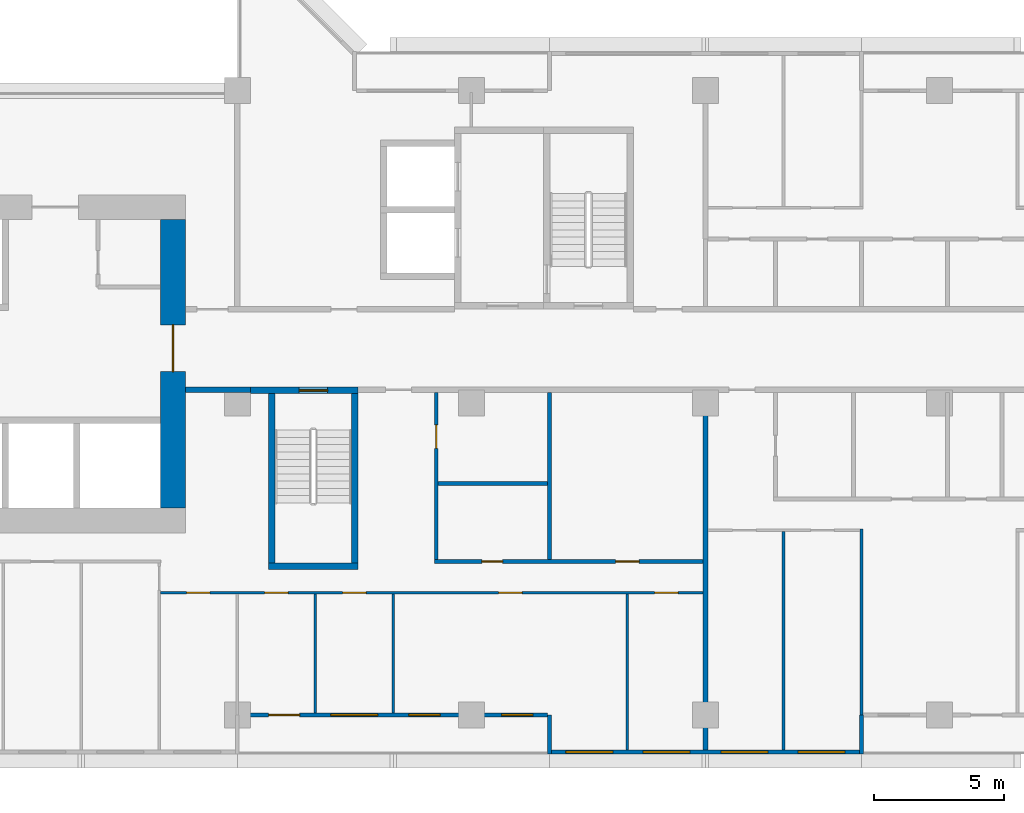
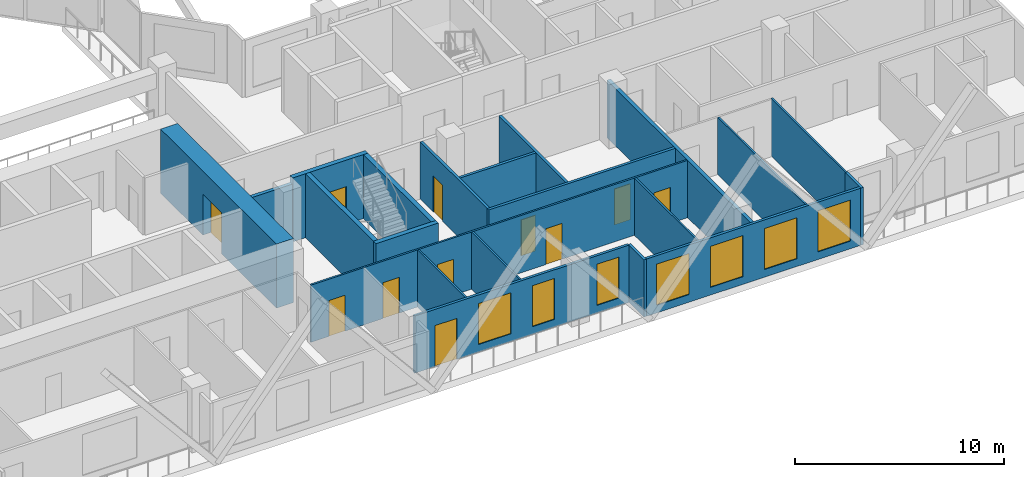
# One storey, part 6 of 16: 21 walls, 11 doors, 7 windows, 18 openings.
"""IFC4 building model written with IfcOpenShell, lengths in metres."""

from ifc_helpers import new_model, si_unit, direction, frame, frame_2d, origin, place, context, subcontext, project, spatial, rectangle, extrude, material, layer, layer_set, type_object, element, fill, save


model = new_model("IFC4")

# Units and contexts
model_context = context("Model", 3, precision=1e-05, world=origin(), true_north=direction((0.0, 1.0)))
body_context = subcontext(model_context, "Body", "Model", "MODEL_VIEW")
ifc_project = project(units=[si_unit("LENGTHUNIT", "METRE"), si_unit("AREAUNIT", "SQUARE_METRE"), si_unit("VOLUMEUNIT", "CUBIC_METRE"), si_unit("PLANEANGLEUNIT", "RADIAN"), si_unit("MASSUNIT", "GRAM", prefix="KILO")], contexts=[model_context])

# Site, building, storey
site_placement = place(None, origin())
site = spatial("IfcSite", under=ifc_project, at=site_placement, CompositionType="ELEMENT")
building_placement = place(site_placement, origin())
building = spatial("IfcBuilding", under=site, at=building_placement, Name="Chenar Terraces", CompositionType="ELEMENT")
storey_placement = place(building_placement, frame((0.0, 0.0, 99.39990234375)))
storey = spatial("IfcBuildingStorey", under=building, at=storey_placement, Name="L22", CompositionType="ELEMENT", Elevation=99.39990234375)

# Wall
ifc_material_1 = material(Name="Concrete C70/85", Category="concrete")
ifc_layer_1 = layer(ifc_material_1, 0.25)
ifc_layer_set_1 = layer_set([ifc_layer_1], Name="Concrete C70/85")
wall_type_1 = type_object("IfcWallType", Name="Core wall 250 Concrete C70/85", PredefinedType="SHEAR", material=ifc_layer_set_1)
wall_1_placement = place(storey_placement, frame((37.199951171875, 5.72509765625, 0.0), z_axis=(0.0, 0.0, 1.0), x_axis=(1.0, 0.0, 0.0)))
element("IfcWall", 1, at=wall_1_placement, inside=storey, type_object=wall_type_1, Name="Core wall ST2_S L22", PredefinedType="SHEAR", context=body_context, shape_type="SweptSolid", body=[
    extrude(rectangle(XDim=3.449951171875, YDim=0.25, at=frame_2d((1.72509765625, 0.0))), origin(), (0.0, 0.0, 1.0), 3.75),
])

# Wall, opening, door
wall_2_placement = place(storey_placement, frame((36.5, 12.47509765625, 0.0), z_axis=(0.0, 0.0, 1.0), x_axis=(1.0, 0.0, 0.0)))
wall_2 = element("IfcWall", 2, at=wall_2_placement, inside=storey, type_object=wall_type_1, Name="Core wall ST2_N L22", PredefinedType="SHEAR", context=body_context, shape_type="SweptSolid", body=[
    extrude(rectangle(XDim=4.14990234375, YDim=0.25, at=frame_2d((2.074951171875, 0.0))), origin(), (0.0, 0.0, 1.0), 3.75),
])
opening_1_placement = place(wall_2_placement, frame((1.875, 0.0, 0.0)))
opening_1 = element("IfcOpeningElement", 3, at=opening_1_placement, cuts=wall_2, Name="Opening DL22-C7", PredefinedType="OPENING", context=body_context, shape_type="SweptSolid", body=[
    extrude(rectangle(XDim=1.10009765625, YDim=2.199951171875, at=frame_2d((0.550048828125, 1.10009765625))), frame((0.0, 0.135009765625, 0.0), z_axis=(0.0, -1.0, 0.0), x_axis=(1.0, 0.0, 0.0)), (0.0, 0.0, 1.0), 0.27001953125),
])
ifc_material_2 = material(Name="Steel-framed fire-resisting door leaf", Category="steel")
door_type_1 = type_object("IfcDoorType", Name="Stair fire door FD60 1100 x 2200", OperationType="SINGLE_SWING_LEFT", PredefinedType="DOOR", material=ifc_material_2)
door_1_placement = place(opening_1_placement, frame((1.10009765625, 0.0, 0.0), z_axis=(0.0, 0.0, 1.0), x_axis=(-1.0, 0.0, 0.0)))
door_1 = element("IfcDoor", 4, at=door_1_placement, inside=storey, type_object=door_type_1, Name="Stair door DL22-C7", OperationType="SINGLE_SWING_RIGHT", OverallHeight=2.199951171875, OverallWidth=1.10009765625, PredefinedType="DOOR", context=body_context, shape_type="SweptSolid", body=[
    extrude(rectangle(XDim=1.10009765625, YDim=2.199951171875, at=frame_2d((0.550048828125, 1.10009765625))), frame((0.0, 0.02490234375, 0.0), z_axis=(0.0, -1.0, 0.0), x_axis=(1.0, 0.0, 0.0)), (0.0, 0.0, 1.0), 0.050048828125),
])
fill(opening_1, door_1)

# Walls
for number, where, z_axis, x_axis, name in (
    (5, (37.324951171875, 5.85009765625, 0.0), (0.0, 0.0, 1.0), (0.0, 1.0, 0.0), "Core wall ST2_W L22"),
    (6, (40.52490234375, 5.85009765625, 0.0), (0.0, 0.0, 1.0), (0.0, 1.0, 0.0), "Core wall ST2_E L22"),
):
    element("IfcWall", number, at=place(storey_placement, frame(where, z_axis=z_axis, x_axis=x_axis)), inside=storey, type_object=wall_type_1, Name=name, PredefinedType="SHEAR", context=body_context, shape_type="SweptSolid", body=[
        extrude(rectangle(XDim=6.5, YDim=0.25, at=frame_2d((3.25, 0.0))), origin(), (0.0, 0.0, 1.0), 3.75),
    ])

# Wall, opening, door
ifc_material_3 = material(Name="Concrete C70/85", Category="concrete")
ifc_layer_2 = layer(ifc_material_3, 0.949951171875)
ifc_layer_set_2 = layer_set([ifc_layer_2], Name="Concrete C70/85")
wall_type_2 = type_object("IfcWallType", Name="Core wall 950 Concrete C70/85", PredefinedType="SHEAR", material=ifc_layer_set_2)
wall_3_placement = place(storey_placement, frame((33.52490234375, 7.949951171875, 0.0), z_axis=(0.0, 0.0, 1.0), x_axis=(0.0, 1.0, 0.0)))
wall_3 = element("IfcWall", 7, at=wall_3_placement, inside=storey, type_object=wall_type_2, Name="Core wall E L22", PredefinedType="SHEAR", context=body_context, shape_type="SweptSolid", body=[
    extrude(rectangle(XDim=11.10009765625, YDim=0.949951171875, at=frame_2d((5.550048828125, 0.0))), origin(), (0.0, 0.0, 1.0), 3.75),
])
opening_2_placement = place(wall_3_placement, frame((5.25, 0.0, 0.0)))
opening_2 = element("IfcOpeningElement", 8, at=opening_2_placement, cuts=wall_3, Name="Opening DL22-C1", PredefinedType="OPENING", context=body_context, shape_type="SweptSolid", body=[
    extrude(rectangle(XDim=1.800048828125, YDim=2.39990234375, at=frame_2d((0.89990234375, 1.199951171875))), frame((0.0, 0.48486328125, 0.0), z_axis=(0.0, -1.0, 0.0), x_axis=(1.0, 0.0, 0.0)), (0.0, 0.0, 1.0), 0.969970703125),
])
ifc_material_4 = material(Name="Steel-framed fire-resisting door leaf", Category="steel")
door_type_2 = type_object("IfcDoorType", Name="Core entrance double fire door FD60 1800 x 2400", OperationType="DOUBLE_DOOR_SINGLE_SWING", PredefinedType="DOOR", material=ifc_material_4)
door_2_placement = place(opening_2_placement, origin())
door_2 = element("IfcDoor", 9, at=door_2_placement, inside=storey, type_object=door_type_2, Name="Core door DL22-C1", OperationType="DOUBLE_DOOR_SINGLE_SWING", OverallHeight=2.39990234375, OverallWidth=1.800048828125, PredefinedType="DOOR", context=body_context, shape_type="SweptSolid", body=[
    extrude(rectangle(XDim=1.800048828125, YDim=2.39990234375, at=frame_2d((0.89990234375, 1.199951171875))), frame((0.0, 0.02490234375, 0.0), z_axis=(0.0, -1.0, 0.0), x_axis=(1.0, 0.0, 0.0)), (0.0, 0.0, 1.0), 0.050048828125),
])
fill(opening_2, door_2)

# Wall
ifc_material_5 = material(Name="Gypsum board on steel studs with fire boards", Category="steel")
ifc_layer_3 = layer(ifc_material_5, 0.199951171875)
ifc_layer_set_3 = layer_set([ifc_layer_3], Name="Gypsum board on steel studs with fire boards")
wall_type_3 = type_object("IfcWallType", Name="Corridor wall 200", PredefinedType="PARTITIONING", material=ifc_layer_set_3)
wall_4_placement = place(storey_placement, frame((34.0, 12.5, 0.0), z_axis=(0.0, 0.0, 1.0), x_axis=(1.0, 0.0, 0.0)))
element("IfcWall", 10, at=wall_4_placement, inside=storey, type_object=wall_type_3, Name="Partition L22-061", PredefinedType="PARTITIONING", context=body_context, shape_type="SweptSolid", body=[
    extrude(rectangle(XDim=2.5009765625, YDim=0.199951171875, at=frame_2d((1.25048828125, 0.0))), origin(), (0.0, 0.0, 1.0), 3.35009765625),
])

# Wall, openings, windows
ifc_material_6 = material(Name="Aluminium framed glazing", Category="aluminium")
ifc_layer_4 = layer(ifc_material_6, 0.14990234375)
ifc_layer_set_4 = layer_set([ifc_layer_4], Name="Aluminium framed glazing")
wall_type_4 = type_object("IfcWallType", Name="Glazed flush facade wall 150", PredefinedType="SOLIDWALL", material=ifc_layer_set_4)
wall_5_placement = place(storey_placement, frame((48.074951171875, -1.425048828125, 0.0), z_axis=(0.0, 0.0, 1.0), x_axis=(1.0, 0.0, 0.0)))
wall_5 = element("IfcWall", 11, at=wall_5_placement, inside=storey, type_object=wall_type_4, Name="Glazed flush facade wall", PredefinedType="SOLIDWALL", context=body_context, shape_type="SweptSolid", body=[
    extrude(rectangle(XDim=11.85009765625, YDim=0.14990234375, at=frame_2d((5.925048828125, 0.0))), origin(), (0.0, 0.0, 1.0), 3.35009765625),
])
opening_3_placement = place(wall_5_placement, frame((0.5625, 0.0, 0.449951171875)))
opening_3 = element("IfcOpeningElement", 12, at=opening_3_placement, cuts=wall_5, Name="Opening W180x240", PredefinedType="OPENING", context=body_context, shape_type="SweptSolid", body=[
    extrude(rectangle(XDim=1.800048828125, YDim=2.39990234375, at=frame_2d((0.89990234375, 1.199951171875))), frame((0.0, 0.0849609375, 0.0), z_axis=(0.0, -1.0, 0.0), x_axis=(1.0, 0.0, 0.0)), (0.0, 0.0, 1.0), 0.169921875),
])
opening_4_placement = place(wall_5_placement, frame((3.52490234375, 0.0, 0.449951171875)))
opening_4 = element("IfcOpeningElement", 13, at=opening_4_placement, cuts=wall_5, Name="Opening W180x240", PredefinedType="OPENING", context=body_context, shape_type="SweptSolid", body=[
    extrude(rectangle(XDim=1.800048828125, YDim=2.39990234375, at=frame_2d((0.89990234375, 1.199951171875))), frame((0.0, 0.0849609375, 0.0), z_axis=(0.0, -1.0, 0.0), x_axis=(1.0, 0.0, 0.0)), (0.0, 0.0, 1.0), 0.169921875),
])
opening_5_placement = place(wall_5_placement, frame((6.52490234375, 0.0, 0.449951171875)))
opening_5 = element("IfcOpeningElement", 14, at=opening_5_placement, cuts=wall_5, Name="Opening W180x240", PredefinedType="OPENING", context=body_context, shape_type="SweptSolid", body=[
    extrude(rectangle(XDim=1.800048828125, YDim=2.39990234375, at=frame_2d((0.89990234375, 1.199951171875))), frame((0.0, 0.0849609375, 0.0), z_axis=(0.0, -1.0, 0.0), x_axis=(1.0, 0.0, 0.0)), (0.0, 0.0, 1.0), 0.169921875),
])
opening_6_placement = place(wall_5_placement, frame((9.487548828125, 0.0, 0.449951171875)))
opening_6 = element("IfcOpeningElement", 15, at=opening_6_placement, cuts=wall_5, Name="Opening W180x240", PredefinedType="OPENING", context=body_context, shape_type="SweptSolid", body=[
    extrude(rectangle(XDim=1.800048828125, YDim=2.39990234375, at=frame_2d((0.89990234375, 1.199951171875))), frame((0.0, 0.0849609375, 0.0), z_axis=(0.0, -1.0, 0.0), x_axis=(1.0, 0.0, 0.0)), (0.0, 0.0, 1.0), 0.169921875),
])
ifc_material_7 = material(Name="Low emissivity double glazing, aluminium frame", Category="aluminium")
window_type_1 = type_object("IfcWindowType", Name="Fixed light 1800 x 2400", PartitioningType="SINGLE_PANEL", PredefinedType="WINDOW", material=ifc_material_7)
window_1_placement = place(opening_3_placement, origin())
window_1 = element("IfcWindow", 16, at=window_1_placement, inside=storey, type_object=window_type_1, Name="Window", OverallHeight=2.39990234375, OverallWidth=1.800048828125, PartitioningType="SINGLE_PANEL", PredefinedType="WINDOW", context=body_context, shape_type="SweptSolid", body=[
    extrude(rectangle(XDim=1.800048828125, YDim=2.39990234375, at=frame_2d((0.89990234375, 1.199951171875))), frame((0.0, 0.030029296875, 0.0), z_axis=(0.0, -1.0, 0.0), x_axis=(1.0, 0.0, 0.0)), (0.0, 0.0, 1.0), 0.06005859375),
])
fill(opening_3, window_1)
window_2_placement = place(opening_4_placement, origin())
window_2 = element("IfcWindow", 17, at=window_2_placement, inside=storey, type_object=window_type_1, Name="Window", OverallHeight=2.39990234375, OverallWidth=1.800048828125, PartitioningType="SINGLE_PANEL", PredefinedType="WINDOW", context=body_context, shape_type="SweptSolid", body=[
    extrude(rectangle(XDim=1.800048828125, YDim=2.39990234375, at=frame_2d((0.89990234375, 1.199951171875))), frame((0.0, 0.030029296875, 0.0), z_axis=(0.0, -1.0, 0.0), x_axis=(1.0, 0.0, 0.0)), (0.0, 0.0, 1.0), 0.06005859375),
])
fill(opening_4, window_2)
window_3_placement = place(opening_5_placement, origin())
window_3 = element("IfcWindow", 18, at=window_3_placement, inside=storey, type_object=window_type_1, Name="Window", OverallHeight=2.39990234375, OverallWidth=1.800048828125, PartitioningType="SINGLE_PANEL", PredefinedType="WINDOW", context=body_context, shape_type="SweptSolid", body=[
    extrude(rectangle(XDim=1.800048828125, YDim=2.39990234375, at=frame_2d((0.89990234375, 1.199951171875))), frame((0.0, 0.030029296875, 0.0), z_axis=(0.0, -1.0, 0.0), x_axis=(1.0, 0.0, 0.0)), (0.0, 0.0, 1.0), 0.06005859375),
])
fill(opening_5, window_3)
window_4_placement = place(opening_6_placement, origin())
window_4 = element("IfcWindow", 19, at=window_4_placement, inside=storey, type_object=window_type_1, Name="Window", OverallHeight=2.39990234375, OverallWidth=1.800048828125, PartitioningType="SINGLE_PANEL", PredefinedType="WINDOW", context=body_context, shape_type="SweptSolid", body=[
    extrude(rectangle(XDim=1.800048828125, YDim=2.39990234375, at=frame_2d((0.89990234375, 1.199951171875))), frame((0.0, 0.030029296875, 0.0), z_axis=(0.0, -1.0, 0.0), x_axis=(1.0, 0.0, 0.0)), (0.0, 0.0, 1.0), 0.06005859375),
])
fill(opening_6, window_4)

# Wall, openings, windows, door
ifc_material_8 = material(Name="Aluminium framed glazing", Category="aluminium")
ifc_layer_5 = layer(ifc_material_8, 0.14990234375)
ifc_layer_set_5 = layer_set([ifc_layer_5], Name="Aluminium framed glazing")
wall_type_5 = type_object("IfcWallType", Name="Glazed loggia back wall 150", PredefinedType="SOLIDWALL", material=ifc_layer_set_5)
wall_6_placement = place(storey_placement, frame((36.074951171875, 0.0, 0.0), z_axis=(0.0, 0.0, 1.0), x_axis=(1.0, 0.0, 0.0)))
wall_6 = element("IfcWall", 20, at=wall_6_placement, inside=storey, type_object=wall_type_5, Name="Glazed loggia back wall", PredefinedType="SOLIDWALL", context=body_context, shape_type="SweptSolid", body=[
    extrude(rectangle(XDim=11.85009765625, YDim=0.14990234375, at=frame_2d((5.925048828125, 0.0))), origin(), (0.0, 0.0, 1.0), 3.35009765625),
])
opening_7_placement = place(wall_6_placement, frame((1.125, 0.0, 0.0)))
opening_7 = element("IfcOpeningElement", 21, at=opening_7_placement, cuts=wall_6, Name="Opening DL22-G7", PredefinedType="OPENING", context=body_context, shape_type="SweptSolid", body=[
    extrude(rectangle(XDim=1.199951171875, YDim=2.39990234375, at=frame_2d((0.60009765625, 1.199951171875))), frame((0.0, 0.0849609375, 0.0), z_axis=(0.0, -1.0, 0.0), x_axis=(1.0, 0.0, 0.0)), (0.0, 0.0, 1.0), 0.169921875),
])
opening_8_placement = place(wall_6_placement, frame((3.52490234375, 0.0, 0.449951171875)))
opening_8 = element("IfcOpeningElement", 22, at=opening_8_placement, cuts=wall_6, Name="Opening W180x240", PredefinedType="OPENING", context=body_context, shape_type="SweptSolid", body=[
    extrude(rectangle(XDim=1.800048828125, YDim=2.39990234375, at=frame_2d((0.89990234375, 1.199951171875))), frame((0.0, 0.0849609375, 0.0), z_axis=(0.0, -1.0, 0.0), x_axis=(1.0, 0.0, 0.0)), (0.0, 0.0, 1.0), 0.169921875),
])
opening_9_placement = place(wall_6_placement, frame((6.52490234375, 0.0, 0.449951171875)))
opening_9 = element("IfcOpeningElement", 23, at=opening_9_placement, cuts=wall_6, Name="Opening W120x240", PredefinedType="OPENING", context=body_context, shape_type="SweptSolid", body=[
    extrude(rectangle(XDim=1.199951171875, YDim=2.39990234375, at=frame_2d((0.60009765625, 1.199951171875))), frame((0.0, 0.0849609375, 0.0), z_axis=(0.0, -1.0, 0.0), x_axis=(1.0, 0.0, 0.0)), (0.0, 0.0, 1.0), 0.169921875),
])
opening_10_placement = place(wall_6_placement, frame((10.08740234375, 0.0, 0.449951171875)))
opening_10 = element("IfcOpeningElement", 24, at=opening_10_placement, cuts=wall_6, Name="Opening W120x240", PredefinedType="OPENING", context=body_context, shape_type="SweptSolid", body=[
    extrude(rectangle(XDim=1.199951171875, YDim=2.39990234375, at=frame_2d((0.60009765625, 1.199951171875))), frame((0.0, 0.0849609375, 0.0), z_axis=(0.0, -1.0, 0.0), x_axis=(1.0, 0.0, 0.0)), (0.0, 0.0, 1.0), 0.169921875),
])
ifc_material_9 = material(Name="Low emissivity double glazing, aluminium frame", Category="aluminium")
window_type_2 = type_object("IfcWindowType", Name="Fixed light 1200 x 2400", PartitioningType="SINGLE_PANEL", PredefinedType="WINDOW", material=ifc_material_9)
window_5_placement = place(opening_9_placement, origin())
window_5 = element("IfcWindow", 25, at=window_5_placement, inside=storey, type_object=window_type_2, Name="Window", OverallHeight=2.39990234375, OverallWidth=1.199951171875, PartitioningType="SINGLE_PANEL", PredefinedType="WINDOW", context=body_context, shape_type="SweptSolid", body=[
    extrude(rectangle(XDim=1.199951171875, YDim=2.39990234375, at=frame_2d((0.60009765625, 1.199951171875))), frame((0.0, 0.030029296875, 0.0), z_axis=(0.0, -1.0, 0.0), x_axis=(1.0, 0.0, 0.0)), (0.0, 0.0, 1.0), 0.06005859375),
])
fill(opening_9, window_5)
window_6_placement = place(opening_10_placement, origin())
window_6 = element("IfcWindow", 26, at=window_6_placement, inside=storey, type_object=window_type_2, Name="Window", OverallHeight=2.39990234375, OverallWidth=1.199951171875, PartitioningType="SINGLE_PANEL", PredefinedType="WINDOW", context=body_context, shape_type="SweptSolid", body=[
    extrude(rectangle(XDim=1.199951171875, YDim=2.39990234375, at=frame_2d((0.60009765625, 1.199951171875))), frame((0.0, 0.030029296875, 0.0), z_axis=(0.0, -1.0, 0.0), x_axis=(1.0, 0.0, 0.0)), (0.0, 0.0, 1.0), 0.06005859375),
])
fill(opening_10, window_6)
window_7_placement = place(opening_8_placement, origin())
window_7 = element("IfcWindow", 27, at=window_7_placement, inside=storey, type_object=window_type_1, Name="Window", OverallHeight=2.39990234375, OverallWidth=1.800048828125, PartitioningType="SINGLE_PANEL", PredefinedType="WINDOW", context=body_context, shape_type="SweptSolid", body=[
    extrude(rectangle(XDim=1.800048828125, YDim=2.39990234375, at=frame_2d((0.89990234375, 1.199951171875))), frame((0.0, 0.030029296875, 0.0), z_axis=(0.0, -1.0, 0.0), x_axis=(1.0, 0.0, 0.0)), (0.0, 0.0, 1.0), 0.06005859375),
])
fill(opening_8, window_7)
ifc_material_10 = material(Name="Low emissivity double glazing, aluminium frame", Category="aluminium")
door_type_3 = type_object("IfcDoorType", Name="Loggia glazed double door 1200 x 2400", OperationType="DOUBLE_DOOR_SINGLE_SWING", PredefinedType="DOOR", material=ifc_material_10)
door_3_placement = place(opening_7_placement, frame((1.199951171875, 0.0, 0.0), z_axis=(0.0, 0.0, 1.0), x_axis=(-1.0, 0.0, 0.0)))
door_3 = element("IfcDoor", 28, at=door_3_placement, inside=storey, type_object=door_type_3, Name="Loggia glazed door", OperationType="DOUBLE_DOOR_SINGLE_SWING", OverallHeight=2.39990234375, OverallWidth=1.199951171875, PredefinedType="DOOR", context=body_context, shape_type="SweptSolid", body=[
    extrude(rectangle(XDim=1.199951171875, YDim=2.39990234375, at=frame_2d((0.60009765625, 1.199951171875))), frame((0.0, 0.02490234375, 0.0), z_axis=(0.0, -1.0, 0.0), x_axis=(1.0, 0.0, 0.0)), (0.0, 0.0, 1.0), 0.050048828125),
])
fill(opening_7, door_3)

# Wall, openings, doors
ifc_material_11 = material(Name="Gypsum board on steel studs", Category="steel")
ifc_layer_6 = layer(ifc_material_11, 0.10009765625)
ifc_layer_set_6 = layer_set([ifc_layer_6], Name="Gypsum board on steel studs")
wall_type_6 = type_object("IfcWallType", Name="Gypsum partition 100", PredefinedType="PARTITIONING", material=ifc_layer_set_6)
wall_7_placement = place(storey_placement, frame((33.050048828125, 4.699951171875, 0.0), z_axis=(0.0, 0.0, 1.0), x_axis=(1.0, 0.0, 0.0)))
wall_7 = element("IfcWall", 29, at=wall_7_placement, inside=storey, type_object=wall_type_6, Name="Partition L22-060", PredefinedType="PARTITIONING", context=body_context, shape_type="SweptSolid", body=[
    extrude(rectangle(XDim=20.849853515625, YDim=0.10009765625, at=frame_2d((10.4248046875, 0.0))), origin(), (0.0, 0.0, 1.0), 3.35009765625),
])
opening_11_placement = place(wall_7_placement, frame((1.0, 0.0, 0.0)))
opening_11 = element("IfcOpeningElement", 30, at=opening_11_placement, cuts=wall_7, Name="Opening DL22-58", PredefinedType="OPENING", context=body_context, shape_type="SweptSolid", body=[
    extrude(rectangle(XDim=0.89990234375, YDim=2.10009765625, at=frame_2d((0.449951171875, 1.050048828125))), frame((0.0, 0.06005859375, 0.0), z_axis=(0.0, -1.0, 0.0), x_axis=(1.0, 0.0, 0.0)), (0.0, 0.0, 1.0), 0.1201171875),
])
opening_12_placement = place(wall_7_placement, frame((4.0, 0.0, 0.0)))
opening_12 = element("IfcOpeningElement", 31, at=opening_12_placement, cuts=wall_7, Name="Opening DL22-59", PredefinedType="OPENING", context=body_context, shape_type="SweptSolid", body=[
    extrude(rectangle(XDim=0.89990234375, YDim=2.10009765625, at=frame_2d((0.449951171875, 1.050048828125))), frame((0.0, 0.06005859375, 0.0), z_axis=(0.0, -1.0, 0.0), x_axis=(1.0, 0.0, 0.0)), (0.0, 0.0, 1.0), 0.1201171875),
])
opening_13_placement = place(wall_7_placement, frame((7.0, 0.0, 0.0)))
opening_13 = element("IfcOpeningElement", 32, at=opening_13_placement, cuts=wall_7, Name="Opening DL22-60", PredefinedType="OPENING", context=body_context, shape_type="SweptSolid", body=[
    extrude(rectangle(XDim=0.89990234375, YDim=2.10009765625, at=frame_2d((0.449951171875, 1.050048828125))), frame((0.0, 0.06005859375, 0.0), z_axis=(0.0, -1.0, 0.0), x_axis=(1.0, 0.0, 0.0)), (0.0, 0.0, 1.0), 0.1201171875),
])
opening_14_placement = place(wall_7_placement, frame((19.0, 0.0, 0.0)))
opening_14 = element("IfcOpeningElement", 33, at=opening_14_placement, cuts=wall_7, Name="Opening DL22-61", PredefinedType="OPENING", context=body_context, shape_type="SweptSolid", body=[
    extrude(rectangle(XDim=0.89990234375, YDim=2.10009765625, at=frame_2d((0.449951171875, 1.050048828125))), frame((0.0, 0.06005859375, 0.0), z_axis=(0.0, -1.0, 0.0), x_axis=(1.0, 0.0, 0.0)), (0.0, 0.0, 1.0), 0.1201171875),
])
opening_15_placement = place(wall_7_placement, frame((13.0, 0.0, 0.0)))
opening_15 = element("IfcOpeningElement", 34, at=opening_15_placement, cuts=wall_7, Name="Opening DL22-67", PredefinedType="OPENING", context=body_context, shape_type="SweptSolid", body=[
    extrude(rectangle(XDim=0.89990234375, YDim=2.10009765625, at=frame_2d((0.449951171875, 1.050048828125))), frame((0.0, 0.06005859375, 0.0), z_axis=(0.0, -1.0, 0.0), x_axis=(1.0, 0.0, 0.0)), (0.0, 0.0, 1.0), 0.1201171875),
])
ifc_material_12 = material(Name="Veneered timber door leaf", Category="wood")
door_type_4 = type_object("IfcDoorType", Name="Door 900 x 2100", OperationType="SINGLE_SWING_LEFT", PredefinedType="DOOR", material=ifc_material_12)
door_4_placement = place(opening_11_placement, frame((0.89990234375, 0.0, 0.0), z_axis=(0.0, 0.0, 1.0), x_axis=(-1.0, 0.0, 0.0)))
door_4 = element("IfcDoor", 35, at=door_4_placement, inside=storey, type_object=door_type_4, Name="Door DL22-58", OperationType="SINGLE_SWING_LEFT", OverallHeight=2.10009765625, OverallWidth=0.89990234375, PredefinedType="DOOR", context=body_context, shape_type="SweptSolid", body=[
    extrude(rectangle(XDim=0.89990234375, YDim=2.10009765625, at=frame_2d((0.449951171875, 1.050048828125))), frame((0.0, 0.02490234375, 0.0), z_axis=(0.0, -1.0, 0.0), x_axis=(1.0, 0.0, 0.0)), (0.0, 0.0, 1.0), 0.050048828125),
])
fill(opening_11, door_4)
door_5_placement = place(opening_12_placement, frame((0.89990234375, 0.0, 0.0), z_axis=(0.0, 0.0, 1.0), x_axis=(-1.0, 0.0, 0.0)))
door_5 = element("IfcDoor", 36, at=door_5_placement, inside=storey, type_object=door_type_4, Name="Door DL22-59", OperationType="SINGLE_SWING_LEFT", OverallHeight=2.10009765625, OverallWidth=0.89990234375, PredefinedType="DOOR", context=body_context, shape_type="SweptSolid", body=[
    extrude(rectangle(XDim=0.89990234375, YDim=2.10009765625, at=frame_2d((0.449951171875, 1.050048828125))), frame((0.0, 0.02490234375, 0.0), z_axis=(0.0, -1.0, 0.0), x_axis=(1.0, 0.0, 0.0)), (0.0, 0.0, 1.0), 0.050048828125),
])
fill(opening_12, door_5)
door_6_placement = place(opening_13_placement, frame((0.89990234375, 0.0, 0.0), z_axis=(0.0, 0.0, 1.0), x_axis=(-1.0, 0.0, 0.0)))
door_6 = element("IfcDoor", 37, at=door_6_placement, inside=storey, type_object=door_type_4, Name="Door DL22-60", OperationType="SINGLE_SWING_LEFT", OverallHeight=2.10009765625, OverallWidth=0.89990234375, PredefinedType="DOOR", context=body_context, shape_type="SweptSolid", body=[
    extrude(rectangle(XDim=0.89990234375, YDim=2.10009765625, at=frame_2d((0.449951171875, 1.050048828125))), frame((0.0, 0.02490234375, 0.0), z_axis=(0.0, -1.0, 0.0), x_axis=(1.0, 0.0, 0.0)), (0.0, 0.0, 1.0), 0.050048828125),
])
fill(opening_13, door_6)
door_7_placement = place(opening_14_placement, frame((0.89990234375, 0.0, 0.0), z_axis=(0.0, 0.0, 1.0), x_axis=(-1.0, 0.0, 0.0)))
door_7 = element("IfcDoor", 38, at=door_7_placement, inside=storey, type_object=door_type_4, Name="Door DL22-61", OperationType="SINGLE_SWING_LEFT", OverallHeight=2.10009765625, OverallWidth=0.89990234375, PredefinedType="DOOR", context=body_context, shape_type="SweptSolid", body=[
    extrude(rectangle(XDim=0.89990234375, YDim=2.10009765625, at=frame_2d((0.449951171875, 1.050048828125))), frame((0.0, 0.02490234375, 0.0), z_axis=(0.0, -1.0, 0.0), x_axis=(1.0, 0.0, 0.0)), (0.0, 0.0, 1.0), 0.050048828125),
])
fill(opening_14, door_7)
door_8_placement = place(opening_15_placement, frame((0.89990234375, 0.0, 0.0), z_axis=(0.0, 0.0, 1.0), x_axis=(-1.0, 0.0, 0.0)))
door_8 = element("IfcDoor", 39, at=door_8_placement, inside=storey, type_object=door_type_4, Name="Door DL22-67", OperationType="SINGLE_SWING_LEFT", OverallHeight=2.10009765625, OverallWidth=0.89990234375, PredefinedType="DOOR", context=body_context, shape_type="SweptSolid", body=[
    extrude(rectangle(XDim=0.89990234375, YDim=2.10009765625, at=frame_2d((0.449951171875, 1.050048828125))), frame((0.0, 0.02490234375, 0.0), z_axis=(0.0, -1.0, 0.0), x_axis=(1.0, 0.0, 0.0)), (0.0, 0.0, 1.0), 0.050048828125),
])
fill(opening_15, door_8)

# Walls
for number, where, z_axis, x_axis, name in (
    (40, (39.0, 0.073974609375, 0.0), (0.0, 0.0, 1.0), (0.0, 1.0, 0.0), "Partition L22-065"),
    (41, (42.0, 0.073974609375, 0.0), (0.0, 0.0, 1.0), (0.0, 1.0, 0.0), "Partition L22-067"),
):
    element("IfcWall", number, at=place(storey_placement, frame(where, z_axis=z_axis, x_axis=x_axis)), inside=storey, type_object=wall_type_6, Name=name, PredefinedType="PARTITIONING", context=body_context, shape_type="SweptSolid", body=[
        extrude(rectangle(XDim=4.575927734375, YDim=0.10009765625, at=frame_2d((2.2880859375, 0.0))), origin(), (0.0, 0.0, 1.0), 3.35009765625),
    ])
wall_8_placement = place(storey_placement, frame((51.0, -1.35009765625, 0.0), z_axis=(0.0, 0.0, 1.0), x_axis=(0.0, 1.0, 0.0)))
element("IfcWall", 42, at=wall_8_placement, inside=storey, type_object=wall_type_6, Name="Partition L22-073", PredefinedType="PARTITIONING", context=body_context, shape_type="SweptSolid", body=[
    extrude(rectangle(XDim=6.0, YDim=0.10009765625, at=frame_2d((3.0, 0.0))), origin(), (0.0, 0.0, 1.0), 3.35009765625),
])
wall_9_placement = place(storey_placement, frame((57.0, -1.35107421875, 0.0), z_axis=(0.0, 0.0, 1.0), x_axis=(0.0, 1.0, 0.0)))
element("IfcWall", 43, at=wall_9_placement, inside=storey, type_object=wall_type_6, Name="Partition L22-084", PredefinedType="PARTITIONING", context=body_context, shape_type="SweptSolid", body=[
    extrude(rectangle(XDim=8.401123046875, YDim=0.10009765625, at=frame_2d((4.20068359375, 0.0))), origin(), (0.0, 0.0, 1.0), 3.35009765625),
])
wall_10_placement = place(storey_placement, frame((60.0, 0.0, 0.0), z_axis=(0.0, 0.0, 1.0), x_axis=(0.0, 1.0, 0.0)))
element("IfcWall", 44, at=wall_10_placement, inside=storey, type_object=wall_type_6, Name="Partition L22-087", PredefinedType="PARTITIONING", context=body_context, shape_type="SweptSolid", body=[
    extrude(rectangle(XDim=7.14990234375, YDim=0.10009765625, at=frame_2d((3.574951171875, 0.0))), origin(), (0.0, 0.0, 1.0), 3.35009765625),
])
ifc_material_13 = material(Name="Terracotta cladding on insulated backing", Category="masonry")
ifc_layer_7 = layer(ifc_material_13, 0.14990234375)
ifc_layer_set_7 = layer_set([ifc_layer_7], Name="Terracotta cladding on insulated backing")
wall_type_7 = type_object("IfcWallType", Name="Loggia return wall 150", PredefinedType="SOLIDWALL", material=ifc_layer_set_7)
for number, where, z_axis, x_axis, name in (
    (45, (48.0, -1.5, 0.0), (0.0, 0.0, 1.0), (0.0, 1.0, 0.0), "Loggia return wall"),
    (46, (60.0, -1.5, 0.0), (0.0, 0.0, 1.0), (0.0, 1.0, 0.0), "Loggia return wall"),
):
    element("IfcWall", number, at=place(storey_placement, frame(where, z_axis=z_axis, x_axis=x_axis)), inside=storey, type_object=wall_type_7, Name=name, PredefinedType="SOLIDWALL", context=body_context, shape_type="SweptSolid", body=[
        extrude(rectangle(XDim=1.5, YDim=0.14990234375, at=frame_2d((0.75, 0.0))), origin(), (0.0, 0.0, 1.0), 3.35009765625),
    ])
ifc_material_14 = material(Name="Twin gypsum board on steel studs with mineral wool", Category="steel")
ifc_layer_8 = layer(ifc_material_14, 0.199951171875)
ifc_layer_set_8 = layer_set([ifc_layer_8], Name="Twin gypsum board on steel studs with mineral wool")
wall_type_8 = type_object("IfcWallType", Name="Unit demising wall 200", PredefinedType="PARTITIONING", material=ifc_layer_set_8)
wall_11_placement = place(storey_placement, frame((54.0, -1.35107421875, 0.0), z_axis=(0.0, 0.0, 1.0), x_axis=(0.0, 1.0, 0.0)))
element("IfcWall", 47, at=wall_11_placement, inside=storey, type_object=wall_type_8, Name="Partition L22-075", PredefinedType="PARTITIONING", context=body_context, shape_type="SweptSolid", body=[
    extrude(rectangle(XDim=13.7509765625, YDim=0.199951171875, at=frame_2d((6.87548828125, 0.0))), origin(), (0.0, 0.0, 1.0), 3.35009765625),
])

# Wall, openings, doors
ifc_material_15 = material(Name="Moisture-resistant gypsum board on steel studs", Category="steel")
ifc_layer_9 = layer(ifc_material_15, 0.14990234375)
ifc_layer_set_9 = layer_set([ifc_layer_9], Name="Moisture-resistant gypsum board on steel studs")
wall_type_9 = type_object("IfcWallType", Name="Wet-room partition 150", PredefinedType="PARTITIONING", material=ifc_layer_set_9)
wall_12_placement = place(storey_placement, frame((43.574951171875, 5.89990234375, 0.0), z_axis=(0.0, 0.0, 1.0), x_axis=(1.0, 0.0, 0.0)))
wall_12 = element("IfcWall", 48, at=wall_12_placement, inside=storey, type_object=wall_type_9, Name="Partition L22-068", PredefinedType="PARTITIONING", context=body_context, shape_type="SweptSolid", body=[
    extrude(rectangle(XDim=10.324951171875, YDim=0.14990234375, at=frame_2d((5.16259765625, 0.0))), origin(), (0.0, 0.0, 1.0), 3.35009765625),
])
opening_16_placement = place(wall_12_placement, frame((1.824951171875, 0.0, 0.0)))
opening_16 = element("IfcOpeningElement", 49, at=opening_16_placement, cuts=wall_12, Name="Opening DL22-53", PredefinedType="OPENING", context=body_context, shape_type="SweptSolid", body=[
    extrude(rectangle(XDim=0.800048828125, YDim=2.10009765625, at=frame_2d((0.39990234375, 1.050048828125))), frame((0.0, 0.0849609375, 0.0), z_axis=(0.0, -1.0, 0.0), x_axis=(1.0, 0.0, 0.0)), (0.0, 0.0, 1.0), 0.169921875),
])
opening_17_placement = place(wall_12_placement, frame((6.97509765625, 0.0, 0.0)))
opening_17 = element("IfcOpeningElement", 50, at=opening_17_placement, cuts=wall_12, Name="Opening DL22-68", PredefinedType="OPENING", context=body_context, shape_type="SweptSolid", body=[
    extrude(rectangle(XDim=0.89990234375, YDim=2.10009765625, at=frame_2d((0.449951171875, 1.050048828125))), frame((0.0, 0.0849609375, 0.0), z_axis=(0.0, -1.0, 0.0), x_axis=(1.0, 0.0, 0.0)), (0.0, 0.0, 1.0), 0.169921875),
])
ifc_material_16 = material(Name="Veneered timber door leaf", Category="wood")
door_type_5 = type_object("IfcDoorType", Name="Door 800 x 2100", OperationType="SINGLE_SWING_LEFT", PredefinedType="DOOR", material=ifc_material_16)
door_9_placement = place(opening_16_placement, origin())
door_9 = element("IfcDoor", 51, at=door_9_placement, inside=storey, type_object=door_type_5, Name="Door DL22-53", OperationType="SINGLE_SWING_RIGHT", OverallHeight=2.10009765625, OverallWidth=0.800048828125, PredefinedType="DOOR", context=body_context, shape_type="SweptSolid", body=[
    extrude(rectangle(XDim=0.800048828125, YDim=2.10009765625, at=frame_2d((0.39990234375, 1.050048828125))), frame((0.0, 0.02490234375, 0.0), z_axis=(0.0, -1.0, 0.0), x_axis=(1.0, 0.0, 0.0)), (0.0, 0.0, 1.0), 0.050048828125),
])
fill(opening_16, door_9)
door_10_placement = place(opening_17_placement, origin())
door_10 = element("IfcDoor", 52, at=door_10_placement, inside=storey, type_object=door_type_4, Name="Door DL22-68", OperationType="SINGLE_SWING_RIGHT", OverallHeight=2.10009765625, OverallWidth=0.89990234375, PredefinedType="DOOR", context=body_context, shape_type="SweptSolid", body=[
    extrude(rectangle(XDim=0.89990234375, YDim=2.10009765625, at=frame_2d((0.449951171875, 1.050048828125))), frame((0.0, 0.02490234375, 0.0), z_axis=(0.0, -1.0, 0.0), x_axis=(1.0, 0.0, 0.0)), (0.0, 0.0, 1.0), 0.050048828125),
])
fill(opening_17, door_10)

# Wall, opening, door
wall_13_placement = place(storey_placement, frame((43.64990234375, 5.97509765625, 0.0), z_axis=(0.0, 0.0, 1.0), x_axis=(0.0, 1.0, 0.0)))
wall_13 = element("IfcWall", 53, at=wall_13_placement, inside=storey, type_object=wall_type_9, Name="Partition L22-069", PredefinedType="PARTITIONING", context=body_context, shape_type="SweptSolid", body=[
    extrude(rectangle(XDim=6.4248046875, YDim=0.14990234375, at=frame_2d((3.21240234375, 0.0))), origin(), (0.0, 0.0, 1.0), 3.35009765625),
])
opening_18_placement = place(wall_13_placement, frame((4.27490234375, 0.0, 0.0)))
opening_18 = element("IfcOpeningElement", 54, at=opening_18_placement, cuts=wall_13, Name="Opening DL22-65", PredefinedType="OPENING", context=body_context, shape_type="SweptSolid", body=[
    extrude(rectangle(XDim=0.89990234375, YDim=2.10009765625, at=frame_2d((0.449951171875, 1.050048828125))), frame((0.0, 0.0849609375, 0.0), z_axis=(0.0, -1.0, 0.0), x_axis=(1.0, 0.0, 0.0)), (0.0, 0.0, 1.0), 0.169921875),
])
door_11_placement = place(opening_18_placement, frame((0.89990234375, 0.0, 0.0), z_axis=(0.0, 0.0, 1.0), x_axis=(-1.0, 0.0, 0.0)))
door_11 = element("IfcDoor", 55, at=door_11_placement, inside=storey, type_object=door_type_4, Name="Door DL22-65", OperationType="SINGLE_SWING_RIGHT", OverallHeight=2.10009765625, OverallWidth=0.89990234375, PredefinedType="DOOR", context=body_context, shape_type="SweptSolid", body=[
    extrude(rectangle(XDim=0.89990234375, YDim=2.10009765625, at=frame_2d((0.449951171875, 1.050048828125))), frame((0.0, 0.02490234375, 0.0), z_axis=(0.0, -1.0, 0.0), x_axis=(1.0, 0.0, 0.0)), (0.0, 0.0, 1.0), 0.050048828125),
])
fill(opening_18, door_11)

# Walls
wall_14_placement = place(storey_placement, frame((43.72509765625, 8.89990234375, 0.0), z_axis=(0.0, 0.0, 1.0), x_axis=(1.0, 0.0, 0.0)))
element("IfcWall", 56, at=wall_14_placement, inside=storey, type_object=wall_type_9, Name="Partition L22-070", PredefinedType="PARTITIONING", context=body_context, shape_type="SweptSolid", body=[
    extrude(rectangle(XDim=4.199951171875, YDim=0.14990234375, at=frame_2d((2.10009765625, 0.0))), origin(), (0.0, 0.0, 1.0), 3.35009765625),
])
wall_15_placement = place(storey_placement, frame((48.0, 5.97509765625, 0.0), z_axis=(0.0, 0.0, 1.0), x_axis=(0.0, 1.0, 0.0)))
element("IfcWall", 57, at=wall_15_placement, inside=storey, type_object=wall_type_9, Name="Partition L22-072", PredefinedType="PARTITIONING", context=body_context, shape_type="SweptSolid", body=[
    extrude(rectangle(XDim=6.4248046875, YDim=0.14990234375, at=frame_2d((3.21240234375, 0.0))), origin(), (0.0, 0.0, 1.0), 3.35009765625),
])

save(model, "model.ifc")
